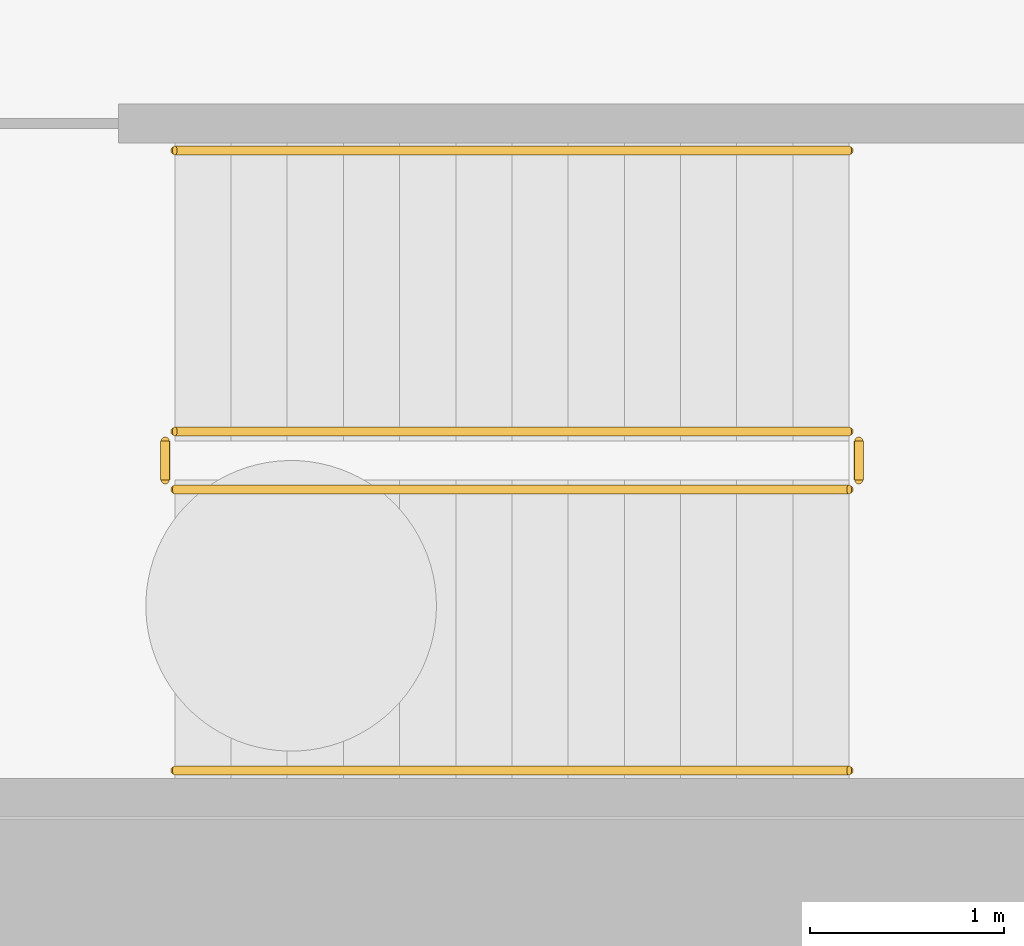
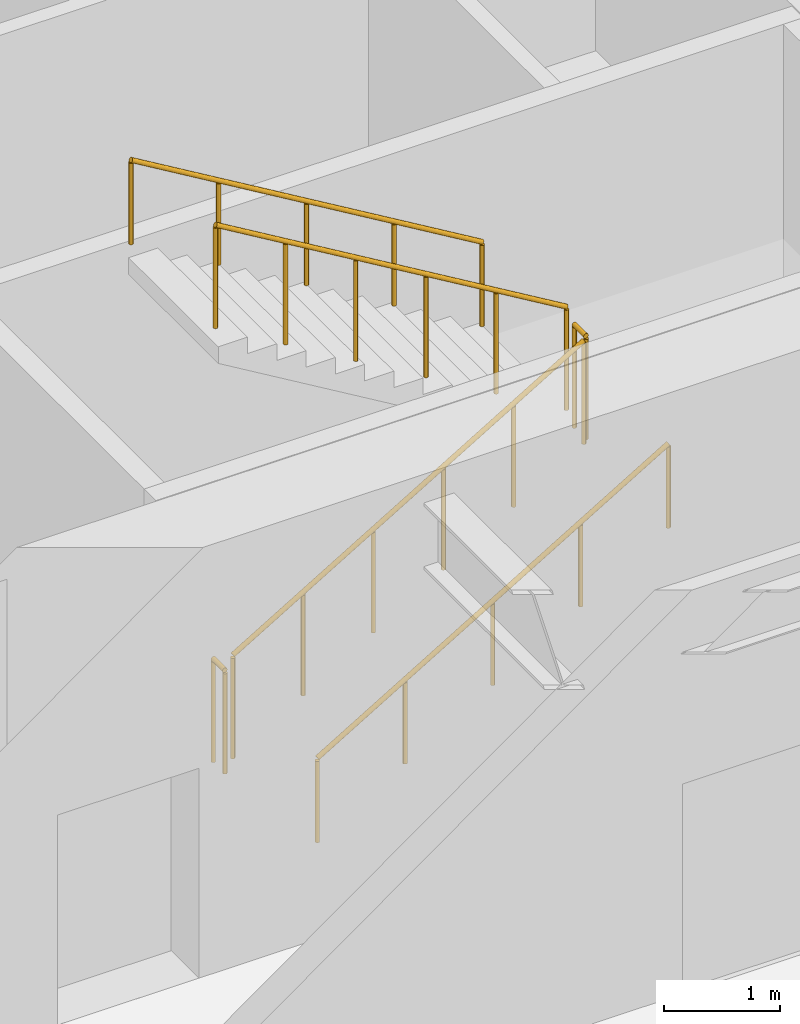
# One storey, part 9 of 11: 6 railings.
"""IFC4 building model written with IfcOpenShell, lengths in metres."""

from ifc_helpers import new_model, si_unit, direction, frame, origin, origin_2d, place, context, subcontext, project, spatial, circle, extrude, material, type_object, element, save


model = new_model("IFC4")

# Units and contexts
model_context = context("Model", 3, precision=1e-05, world=origin(), true_north=direction((0.0, 1.0)))
body_context = subcontext(model_context, "Body", "Model", "MODEL_VIEW")
ifc_project = project(units=[si_unit("LENGTHUNIT", "METRE"), si_unit("AREAUNIT", "SQUARE_METRE"), si_unit("VOLUMEUNIT", "CUBIC_METRE"), si_unit("PLANEANGLEUNIT", "RADIAN"), si_unit("MASSUNIT", "GRAM", prefix="KILO")], contexts=[model_context])

# Site, building, storey
site_placement = place(None, origin())
site = spatial("IfcSite", under=ifc_project, at=site_placement, CompositionType="ELEMENT")
building_placement = place(site_placement, origin())
building = spatial("IfcBuilding", under=site, at=building_placement, Name="Putna Gate Headquarters", CompositionType="ELEMENT")
storey_placement = place(building_placement, frame((0.0, 0.0, -13.5)))
storey = spatial("IfcBuildingStorey", under=building, at=storey_placement, Name="B03", CompositionType="ELEMENT", Elevation=-13.5)

# Railings
ifc_material_1 = material(Name="Powder-coated steel stair guardrail", Category="steel")
railing_type_1 = type_object("IfcRailingType", Name="RAIL-STAIR-GUARD-1100", PredefinedType="GUARDRAIL", material=ifc_material_1)
railing_1_placement = place(storey_placement, frame((57.89990234375, 21.10009765625, 0.173095703125)))
element("IfcRailing", 1, at=railing_1_placement, inside=storey, type_object=railing_type_1, Name="B03 ST2 stair guard 1", PredefinedType="GUARDRAIL", context=body_context, shape_type="SweptSolid", body=[
    extrude(circle(Radius=0.02392578125, at=origin_2d()), frame((0.0, 0.0, 1.076171875), z_axis=(0.858697190188, 0.0, 0.512483302717), x_axis=(0.0, 1.0, 0.0)), (0.0, 0.0, 1.0), 4.052734375),
    extrude(circle(Radius=0.02099609375, at=origin_2d()), origin(), (0.0, 0.0, 1.0), 1.052001953125),
    extrude(circle(Radius=0.02099609375, at=origin_2d()), frame((0.696044921875, 0.0, 0.415283203125)), (0.0, 0.0, 1.0), 1.052001953125),
    extrude(circle(Radius=0.02099609375, at=origin_2d()), frame((1.39208984375, 0.0, 0.830810546875)), (0.0, 0.0, 1.0), 1.052001953125),
    extrude(circle(Radius=0.02099609375, at=origin_2d()), frame((2.087890625, 0.0, 1.24609375)), (0.0, 0.0, 1.0), 1.052001953125),
    extrude(circle(Radius=0.02099609375, at=origin_2d()), frame((2.783935546875, 0.0, 1.66162109375)), (0.0, 0.0, 1.0), 1.052001953125),
    extrude(circle(Radius=0.02099609375, at=origin_2d()), frame((3.47998046875, 0.0, 2.076904296875)), (0.0, 0.0, 1.0), 1.052001953125),
])
railing_2_placement = place(storey_placement, frame((61.429931640625, 21.14990234375, 2.25)))
element("IfcRailing", 2, at=railing_2_placement, inside=storey, type_object=railing_type_1, Name="B03 ST2 stair guard 2", PredefinedType="GUARDRAIL", context=body_context, shape_type="SweptSolid", body=[
    extrude(circle(Radius=0.02392578125, at=origin_2d()), frame((0.0, 0.0, 1.076171875), z_axis=(0.0, 1.0, 0.0), x_axis=(-1.0, 0.0, 0.0)), (0.0, 0.0, 1.0), 0.2001953125),
    extrude(circle(Radius=0.02099609375, at=origin_2d()), origin(), (0.0, 0.0, 1.0), 1.052001953125),
    extrude(circle(Radius=0.02099609375, at=origin_2d()), frame((0.0, 0.2001953125, 0.0)), (0.0, 0.0, 1.0), 1.052001953125),
])
railing_3_placement = place(storey_placement, frame((61.3798828125, 21.39990234375, 2.423095703125)))
element("IfcRailing", 3, at=railing_3_placement, inside=storey, type_object=railing_type_1, Name="B03 ST2 stair guard 3", PredefinedType="GUARDRAIL", context=body_context, shape_type="SweptSolid", body=[
    extrude(circle(Radius=0.02392578125, at=origin_2d()), frame((0.0, 0.0, 1.076171875), z_axis=(-0.858697190188, 0.0, 0.512483302717), x_axis=(0.0, -1.0, 0.0)), (0.0, 0.0, 1.0), 4.052734375),
    extrude(circle(Radius=0.02099609375, at=origin_2d()), origin(), (0.0, 0.0, 1.0), 1.052001953125),
    extrude(circle(Radius=0.02099609375, at=origin_2d()), frame((-0.696044921875, 0.0, 0.415283203125)), (0.0, 0.0, 1.0), 1.052001953125),
    extrude(circle(Radius=0.02099609375, at=origin_2d()), frame((-1.39208984375, 0.0, 0.830810546875)), (0.0, 0.0, 1.0), 1.052001953125),
    extrude(circle(Radius=0.02099609375, at=origin_2d()), frame((-2.087890625, 0.0, 1.24609375)), (0.0, 0.0, 1.0), 1.052001953125),
    extrude(circle(Radius=0.02099609375, at=origin_2d()), frame((-2.783935546875, 0.0, 1.66162109375)), (0.0, 0.0, 1.0), 1.052001953125),
    extrude(circle(Radius=0.02099609375, at=origin_2d()), frame((-3.47998046875, 0.0, 2.076904296875)), (0.0, 0.0, 1.0), 1.052001953125),
])
railing_4_placement = place(storey_placement, frame((57.85009765625, 21.14990234375, 0.0)))
element("IfcRailing", 4, at=railing_4_placement, inside=storey, type_object=railing_type_1, Name="B03 ST2 stair guard 4", PredefinedType="GUARDRAIL", context=body_context, shape_type="SweptSolid", body=[
    extrude(circle(Radius=0.02392578125, at=origin_2d()), frame((0.0, 0.0, 1.076171875), z_axis=(0.0, 1.0, 0.0), x_axis=(-1.0, 0.0, 0.0)), (0.0, 0.0, 1.0), 0.2001953125),
    extrude(circle(Radius=0.02099609375, at=origin_2d()), origin(), (0.0, 0.0, 1.0), 1.052001953125),
    extrude(circle(Radius=0.02099609375, at=origin_2d()), frame((0.0, 0.2001953125, 0.0)), (0.0, 0.0, 1.0), 1.052001953125),
])
ifc_material_2 = material(Name="Brushed stainless steel handrail", Category="steel")
railing_type_2 = type_object("IfcRailingType", Name="RAIL-STAIR-HAND-900", PredefinedType="HANDRAIL", material=ifc_material_2)
railing_5_placement = place(storey_placement, frame((57.89990234375, 19.64990234375, 0.173095703125)))
element("IfcRailing", 5, at=railing_5_placement, inside=storey, type_object=railing_type_2, Name="B03 ST2 stair handrail 1", PredefinedType="HANDRAIL", context=body_context, shape_type="SweptSolid", body=[
    extrude(circle(Radius=0.02392578125, at=origin_2d()), frame((0.0, 0.0, 0.8759765625), z_axis=(0.858697190188, 0.0, 0.512483302717), x_axis=(0.0, 1.0, 0.0)), (0.0, 0.0, 1.0), 4.052734375),
    extrude(circle(Radius=0.02099609375, at=origin_2d()), origin(), (0.0, 0.0, 1.0), 0.851806640625),
    extrude(circle(Radius=0.02099609375, at=origin_2d()), frame((0.8701171875, 0.0, 0.519287109375)), (0.0, 0.0, 1.0), 0.851806640625),
    extrude(circle(Radius=0.02099609375, at=origin_2d()), frame((1.739990234375, 0.0, 1.03857421875)), (0.0, 0.0, 1.0), 0.851806640625),
    extrude(circle(Radius=0.02099609375, at=origin_2d()), frame((2.60986328125, 0.0, 1.5576171875)), (0.0, 0.0, 1.0), 0.851806640625),
    extrude(circle(Radius=0.02099609375, at=origin_2d()), frame((3.47998046875, 0.0, 2.076904296875)), (0.0, 0.0, 1.0), 0.851806640625),
])
railing_6_placement = place(storey_placement, frame((61.3798828125, 22.85009765625, 2.423095703125)))
element("IfcRailing", 6, at=railing_6_placement, inside=storey, type_object=railing_type_2, Name="B03 ST2 stair handrail 2", PredefinedType="HANDRAIL", context=body_context, shape_type="SweptSolid", body=[
    extrude(circle(Radius=0.02392578125, at=origin_2d()), frame((0.0, 0.0, 0.8759765625), z_axis=(-0.858697190188, 0.0, 0.512483302717), x_axis=(0.0, -1.0, 0.0)), (0.0, 0.0, 1.0), 4.052734375),
    extrude(circle(Radius=0.02099609375, at=origin_2d()), origin(), (0.0, 0.0, 1.0), 0.851806640625),
    extrude(circle(Radius=0.02099609375, at=origin_2d()), frame((-0.8701171875, 0.0, 0.519287109375)), (0.0, 0.0, 1.0), 0.851806640625),
    extrude(circle(Radius=0.02099609375, at=origin_2d()), frame((-1.739990234375, 0.0, 1.03857421875)), (0.0, 0.0, 1.0), 0.851806640625),
    extrude(circle(Radius=0.02099609375, at=origin_2d()), frame((-2.60986328125, 0.0, 1.5576171875)), (0.0, 0.0, 1.0), 0.851806640625),
    extrude(circle(Radius=0.02099609375, at=origin_2d()), frame((-3.47998046875, 0.0, 2.076904296875)), (0.0, 0.0, 1.0), 0.851806640625),
])

save(model, "model.ifc")
